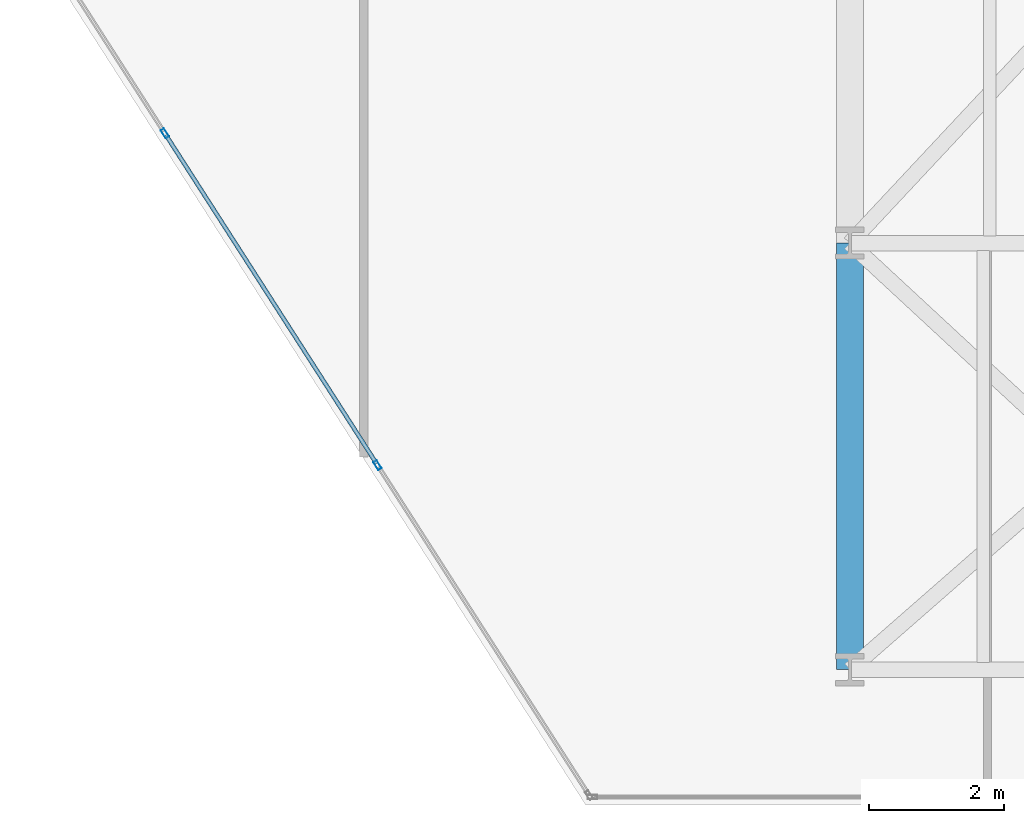
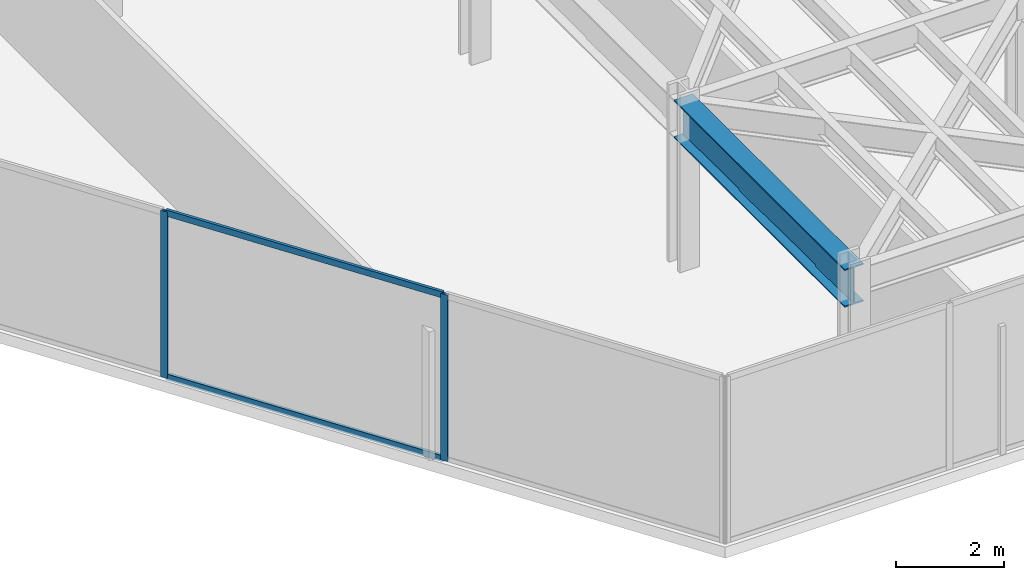
# One storey, part 10 of 24: 4 members, 1 beam, 1 element without a shape of its own.
"""IFC4 building model written with IfcOpenShell, lengths in metres."""

from ifc_helpers import new_model, si_unit, direction, frame, origin, origin_2d, place, context, subcontext, project, spatial, hollow_rectangle, i_section, extrude, material, layer, layer_set, material_profile, profile_set, type_object, element, aggregate, save


model = new_model("IFC4")

# Units and contexts
model_context = context("Model", 3, precision=1e-05, world=origin(), true_north=direction((0.0, 1.0)))
body_context = subcontext(model_context, "Body", "Model", "MODEL_VIEW")
ifc_project = project(units=[si_unit("LENGTHUNIT", "METRE"), si_unit("AREAUNIT", "SQUARE_METRE"), si_unit("VOLUMEUNIT", "CUBIC_METRE"), si_unit("PLANEANGLEUNIT", "RADIAN"), si_unit("MASSUNIT", "GRAM", prefix="KILO")], contexts=[model_context])

# Site, building, storey
site_placement = place(None, origin())
site = spatial("IfcSite", under=ifc_project, at=site_placement, CompositionType="ELEMENT")
building_placement = place(site_placement, origin())
building = spatial("IfcBuilding", under=site, at=building_placement, Name="Kravanh Interchange Tower", CompositionType="ELEMENT")
storey_placement = place(building_placement, frame((0.0, 0.0, 96.0)))
storey = spatial("IfcBuildingStorey", under=building, at=storey_placement, Name="L22", CompositionType="ELEMENT", Elevation=96.0)

# Curtain wall, members
ifc_material_1 = material(Name="Anodised Bronze Aluminium", Category="aluminium")
ifc_layer = layer(ifc_material_1, 0.179931640625)
ifc_layer_set = layer_set([ifc_layer], Name="Unitised Curtain Wall System CW-Z2 Mid Office")
curtain_wall_type = type_object("IfcCurtainWallType", Name="Unitised Curtain Wall System CW-Z2 Mid Office", PredefinedType="NOTDEFINED", material=ifc_layer_set)
curtain_wall_placement = place(storey_placement, origin())
curtain_wall = element("IfcCurtainWall", 1, at=curtain_wall_placement, inside=storey, type_object=curtain_wall_type, Name="L22 Unitised Curtain Wall CW-L22-04", PredefinedType="NOTDEFINED")
ifc_material_2 = material(Name="Anodised Bronze Aluminium", Category="aluminium")
ifc_material_profile_1 = material_profile(ifc_material_2, hollow_rectangle(XDim=0.06005859375, YDim=0.139892578125, WallThickness=0.00390625, at=origin_2d()), Name="ALU60X140X4")
ifc_profile_set_1 = profile_set([ifc_material_profile_1], Name="Anodised Bronze Aluminium")
member_type_1 = type_object("IfcMemberType", Name="Curtain Wall Mullion ALU60X140X4 Bronze", PredefinedType="MULLION", material=ifc_profile_set_1)
member_1_placement = place(storey_placement, frame((49.024169921875, 11.220703125, 0.0), z_axis=(0.0, 0.0, 1.0), x_axis=(-0.841879939476, -0.539664865919, 0.0)))
member_1 = element("IfcMember", 2, at=member_1_placement, type_object=member_type_1, Name="CW-Z2 mullion 2", PredefinedType="MULLION", context=body_context, shape_type="SweptSolid", body=[
    extrude(hollow_rectangle(XDim=0.06005859375, YDim=0.139892578125, WallThickness=0.00390625, at=origin_2d()), origin(), (0.0, 0.0, 1.0), 3.75),
])
member_2_placement = place(storey_placement, frame((45.8828125, 16.12109375, 0.0), z_axis=(0.0, 0.0, 1.0), x_axis=(-0.841879939476, -0.539664865919, 0.0)))
member_2 = element("IfcMember", 3, at=member_2_placement, type_object=member_type_1, Name="CW-Z2 mullion 3", PredefinedType="MULLION", context=body_context, shape_type="SweptSolid", body=[
    extrude(hollow_rectangle(XDim=0.06005859375, YDim=0.139892578125, WallThickness=0.00390625, at=origin_2d()), origin(), (0.0, 0.0, 1.0), 3.75),
])
ifc_material_3 = material(Name="Anodised Bronze Aluminium", Category="aluminium")
ifc_material_profile_2 = material_profile(ifc_material_3, hollow_rectangle(XDim=0.06005859375, YDim=0.139892578125, WallThickness=0.00390625, at=origin_2d()), Name="ALU60X140X4")
ifc_profile_set_2 = profile_set([ifc_material_profile_2], Name="Anodised Bronze Aluminium")
member_type_2 = type_object("IfcMemberType", Name="Curtain Wall Transom ALU60X140X4 Bronze", PredefinedType="USERDEFINED", material=ifc_profile_set_2)
member_3_placement = place(storey_placement, frame((49.008056640625, 11.245849609375, 0.030029296875), z_axis=(-0.539677666788, 0.84187173368, 0.0), x_axis=(-0.84187173368, -0.539677666788, 0.0)))
member_3 = element("IfcMember", 4, at=member_3_placement, type_object=member_type_2, Name="CW-Z2 transom 2.1", ObjectType="TRANSOM", PredefinedType="USERDEFINED", context=body_context, shape_type="SweptSolid", body=[
    extrude(hollow_rectangle(XDim=0.06005859375, YDim=0.139892578125, WallThickness=0.00390625, at=origin_2d()), origin(), (0.0, 0.0, 1.0), 5.760986328125),
])
member_4_placement = place(storey_placement, frame((49.008056640625, 11.245849609375, 3.719970703125), z_axis=(-0.539677666788, 0.84187173368, 0.0), x_axis=(-0.84187173368, -0.539677666788, 0.0)))
member_4 = element("IfcMember", 5, at=member_4_placement, type_object=member_type_2, Name="CW-Z2 transom 2.2", ObjectType="TRANSOM", PredefinedType="USERDEFINED", context=body_context, shape_type="SweptSolid", body=[
    extrude(hollow_rectangle(XDim=0.06005859375, YDim=0.139892578125, WallThickness=0.00390625, at=origin_2d()), origin(), (0.0, 0.0, 1.0), 5.760986328125),
])
aggregate(curtain_wall, [member_1, member_2, member_3, member_4])

# Beam
ifc_material_4 = material(Name="Structural Steel S355", Category="steel")
ifc_material_profile_3 = material_profile(ifc_material_4, i_section(OverallWidth=0.39990234375, OverallDepth=0.85595703125, WebThickness=0.018310546875, FlangeThickness=0.029296875, FilletRadius=0.02490234375, at=origin_2d()), Name="W33X201")
ifc_profile_set_3 = profile_set([ifc_material_profile_3], Name="Structural Steel S355")
beam_type = type_object("IfcBeamType", Name="Floor Beam W33X201 Structural Steel S355", PredefinedType="BEAM", material=ifc_profile_set_3)
beam_placement = place(storey_placement, frame((56.0, 8.199951171875, 3.322021484375), z_axis=(0.0, 1.0, 0.0), x_axis=(-1.0, 0.0, 0.0)))
element("IfcBeam", 6, at=beam_placement, inside=storey, type_object=beam_type, Name="L22 Primary Floor Girder 95", PredefinedType="BEAM", context=body_context, shape_type="SweptSolid", body=[
    extrude(i_section(OverallWidth=0.39990234375, OverallDepth=0.85595703125, WebThickness=0.018310546875, FlangeThickness=0.029296875, FilletRadius=0.02490234375, at=origin_2d()), origin(), (0.0, 0.0, 1.0), 6.300048828125),
])

save(model, "model.ifc")
